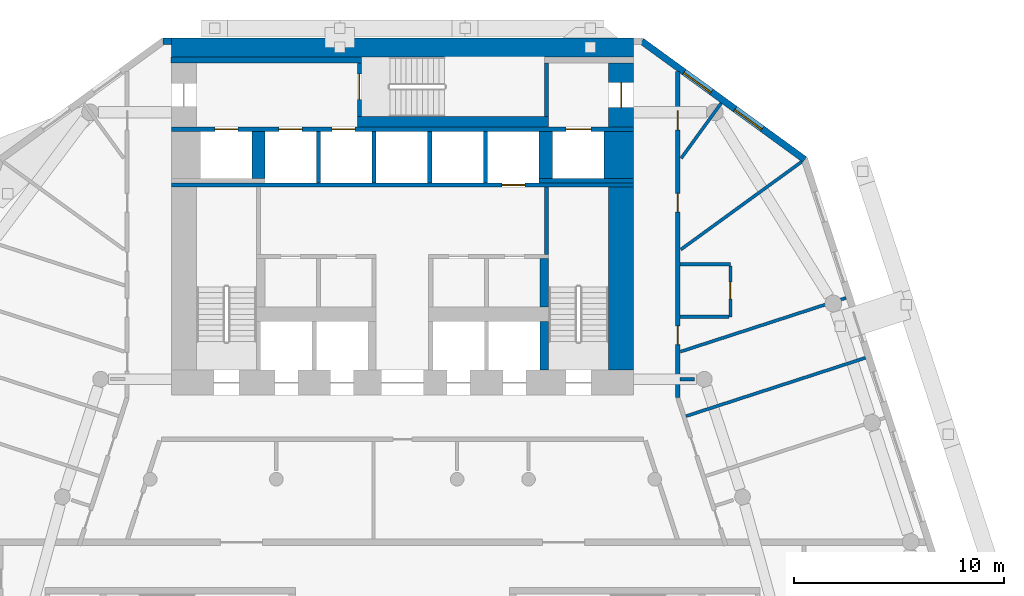
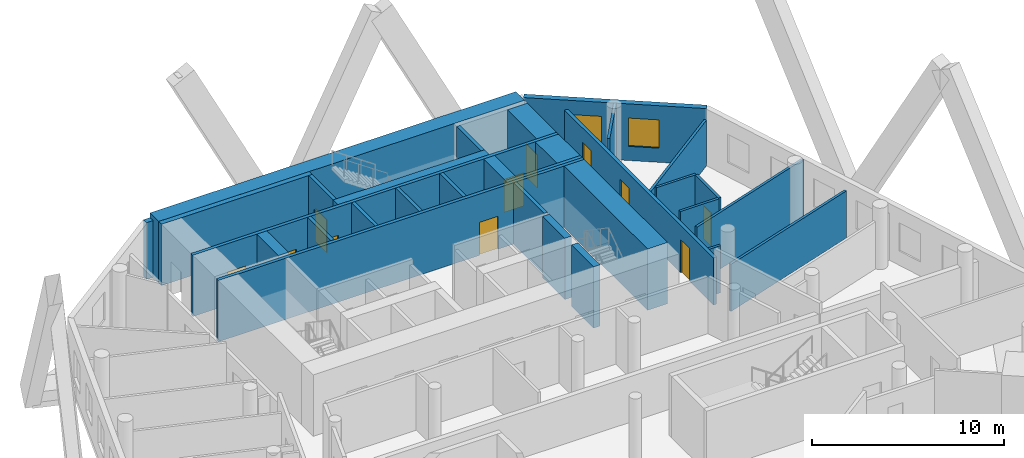
# One storey, part 7 of 10: 31 walls, 11 doors, 2 windows, 13 openings.
"""IFC4 building model written with IfcOpenShell, lengths in metres."""

from ifc_helpers import new_model, si_unit, direction, frame, frame_2d, origin, place, context, subcontext, project, spatial, rectangle, extrude, material, layer, layer_set, type_object, element, fill, save


model = new_model("IFC4")

# Units and contexts
model_context = context("Model", 3, precision=1e-05, world=origin(), true_north=direction((0.0, 1.0)))
body_context = subcontext(model_context, "Body", "Model", "MODEL_VIEW")
ifc_project = project(units=[si_unit("LENGTHUNIT", "METRE"), si_unit("AREAUNIT", "SQUARE_METRE"), si_unit("VOLUMEUNIT", "CUBIC_METRE"), si_unit("PLANEANGLEUNIT", "RADIAN"), si_unit("MASSUNIT", "GRAM", prefix="KILO")], contexts=[model_context])

# Site, building, storey
site_placement = place(None, origin())
site = spatial("IfcSite", under=ifc_project, at=site_placement, CompositionType="ELEMENT")
building_placement = place(site_placement, origin())
building = spatial("IfcBuilding", under=site, at=building_placement, Name="White Candle Pilgrim Tower", CompositionType="ELEMENT")
storey_placement = place(building_placement, frame((0.0, 0.0, 42.89990234375)))
storey = spatial("IfcBuildingStorey", under=building, at=storey_placement, Name="L07", CompositionType="ELEMENT", Elevation=42.89990234375)

# Wall, opening, door
ifc_material_1 = material(Name="Concrete C70/85", Category="concrete")
ifc_layer_1 = layer(ifc_material_1, 1.199951171875)
ifc_layer_set_1 = layer_set([ifc_layer_1], Name="Core wall 1200 mm Concrete C70/85")
wall_type_1 = type_object("IfcWallType", Name="Core wall 1200 mm Concrete C70/85", PredefinedType="SHEAR", material=ifc_layer_set_1)
wall_1_placement = place(storey_placement, frame((80.39990234375, 83.75, 0.0), z_axis=(0.0, 0.0, 1.0), x_axis=(0.0, 1.0, 0.0)))
wall_1 = element("IfcWall", 1, at=wall_1_placement, inside=storey, type_object=wall_type_1, Name="WL-L07-C46", PredefinedType="SHEAR", context=body_context, shape_type="SweptSolid", body=[
    extrude(rectangle(XDim=3.050048828125, YDim=1.199951171875, at=frame_2d((1.52490234375, 0.0))), origin(), (0.0, 0.0, 1.0), 3.900146484375),
])
opening_1_placement = place(wall_1_placement, frame((0.925048828125, 0.0, 0.0)))
opening_1 = element("IfcOpeningElement", 2, at=opening_1_placement, cuts=wall_1, Name="Opening T02-006", PredefinedType="OPENING", context=body_context, shape_type="SweptSolid", body=[
    extrude(rectangle(XDim=1.199951171875, YDim=2.10009765625, at=frame_2d((0.60009765625, 1.050048828125))), frame((0.0, 0.60986328125, 0.0), z_axis=(0.0, -1.0, 0.0), x_axis=(1.0, 0.0, 0.0)), (0.0, 0.0, 1.0), 1.219970703125),
])
ifc_material_2 = material(Name="Steel door leaf", Category="steel")
door_type_1 = type_object("IfcDoorType", Name="Fire door 1200 x 2100 EI 30", OperationType="NOTDEFINED", PredefinedType="DOOR", material=ifc_material_2)
door_1_placement = place(opening_1_placement, origin())
door_1 = element("IfcDoor", 3, at=door_1_placement, inside=storey, type_object=door_type_1, Name="Door T02-006", OperationType="SINGLE_SWING_RIGHT", OverallHeight=2.10009765625, OverallWidth=1.199951171875, PredefinedType="DOOR", context=body_context, shape_type="SweptSolid", body=[
    extrude(rectangle(XDim=1.199951171875, YDim=2.10009765625, at=frame_2d((0.60009765625, 1.050048828125))), frame((0.0, 0.02490234375, 0.0), z_axis=(0.0, -1.0, 0.0), x_axis=(1.0, 0.0, 0.0)), (0.0, 0.0, 1.0), 0.050048828125),
])
fill(opening_1, door_1)

# Walls
ifc_layer_2 = layer(ifc_material_1, 1.39990234375)
ifc_layer_set_2 = layer_set([ifc_layer_2], Name="Core wall 1400 mm Concrete C70/85")
wall_type_2 = type_object("IfcWallType", Name="Core wall 1400 mm Concrete C70/85", PredefinedType="SHEAR", material=ifc_layer_set_2)
wall_2_placement = place(storey_placement, frame((80.300048828125, 81.300048828125, 0.0), z_axis=(0.0, 0.0, 1.0), x_axis=(0.0, 1.0, 0.0)))
element("IfcWall", 4, at=wall_2_placement, inside=storey, type_object=wall_type_2, Name="WL-L07-C42", PredefinedType="SHEAR", context=body_context, shape_type="SweptSolid", body=[
    extrude(rectangle(XDim=2.25, YDim=1.39990234375, at=frame_2d((1.125, 0.0))), origin(), (0.0, 0.0, 1.0), 3.900146484375),
])
ifc_layer_3 = layer(ifc_material_1, 0.199951171875)
ifc_layer_set_3 = layer_set([ifc_layer_3], Name="Core wall 200 mm Concrete C70/85")
wall_type_3 = type_object("IfcWallType", Name="Core wall 200 mm Concrete C70/85", PredefinedType="SHEAR", material=ifc_layer_set_3)
wall_3_placement = place(storey_placement, frame((76.5, 81.199951171875, 0.0), z_axis=(0.0, 0.0, 1.0), x_axis=(1.0, 0.0, 0.0)))
element("IfcWall", 5, at=wall_3_placement, inside=storey, type_object=wall_type_3, Name="WL-L07-C38", PredefinedType="SHEAR", context=body_context, shape_type="SweptSolid", body=[
    extrude(rectangle(XDim=4.5, YDim=0.199951171875, at=frame_2d((2.25, 0.0))), origin(), (0.0, 0.0, 1.0), 3.900146484375),
])

# Wall, openings, doors
wall_4_placement = place(storey_placement, frame((59.0, 83.64990234375, 0.0), z_axis=(0.0, 0.0, 1.0), x_axis=(1.0, 0.0, 0.0)))
wall_4 = element("IfcWall", 6, at=wall_4_placement, inside=storey, type_object=wall_type_3, Name="WL-L07-C43", PredefinedType="SHEAR", context=body_context, shape_type="SweptSolid", body=[
    extrude(rectangle(XDim=22.0, YDim=0.199951171875, at=frame_2d((11.0, 0.0))), origin(), (0.0, 0.0, 1.0), 3.900146484375),
])
opening_2_placement = place(wall_4_placement, frame((5.125, 0.0, 0.0)))
opening_2 = element("IfcOpeningElement", 7, at=opening_2_placement, cuts=wall_4, Name="Opening T02-011", PredefinedType="OPENING", context=body_context, shape_type="SweptSolid", body=[
    extrude(rectangle(XDim=1.10009765625, YDim=2.10009765625, at=frame_2d((0.550048828125, 1.050048828125))), frame((0.0, 0.10986328125, 0.0), z_axis=(0.0, -1.0, 0.0), x_axis=(1.0, 0.0, 0.0)), (0.0, 0.0, 1.0), 0.219970703125),
])
opening_3_placement = place(wall_4_placement, frame((7.64990234375, 0.0, 0.0)))
opening_3 = element("IfcOpeningElement", 8, at=opening_3_placement, cuts=wall_4, Name="Opening T02-012", PredefinedType="OPENING", context=body_context, shape_type="SweptSolid", body=[
    extrude(rectangle(XDim=1.10009765625, YDim=2.10009765625, at=frame_2d((0.550048828125, 1.050048828125))), frame((0.0, 0.10986328125, 0.0), z_axis=(0.0, -1.0, 0.0), x_axis=(1.0, 0.0, 0.0)), (0.0, 0.0, 1.0), 0.219970703125),
])
opening_4_placement = place(wall_4_placement, frame((18.77490234375, 0.0, 0.0)))
opening_4 = element("IfcOpeningElement", 9, at=opening_4_placement, cuts=wall_4, Name="Opening T02-018", PredefinedType="OPENING", context=body_context, shape_type="SweptSolid", body=[
    extrude(rectangle(XDim=1.199951171875, YDim=2.10009765625, at=frame_2d((0.60009765625, 1.050048828125))), frame((0.0, 0.10986328125, 0.0), z_axis=(0.0, -1.0, 0.0), x_axis=(1.0, 0.0, 0.0)), (0.0, 0.0, 1.0), 0.219970703125),
])
opening_5_placement = place(wall_4_placement, frame((2.074951171875, 0.0, 0.0)))
opening_5 = element("IfcOpeningElement", 10, at=opening_5_placement, cuts=wall_4, Name="Opening T02-019", PredefinedType="OPENING", context=body_context, shape_type="SweptSolid", body=[
    extrude(rectangle(XDim=1.10009765625, YDim=2.10009765625, at=frame_2d((0.550048828125, 1.050048828125))), frame((0.0, 0.10986328125, 0.0), z_axis=(0.0, -1.0, 0.0), x_axis=(1.0, 0.0, 0.0)), (0.0, 0.0, 1.0), 0.219970703125),
])
ifc_material_3 = material(Name="Stainless steel", Category="steel")
door_type_2 = type_object("IfcDoorType", Name="Lift landing door 1100 x 2100 EI 60", OperationType="DOUBLE_DOOR_SLIDING", PredefinedType="DOOR", material=ifc_material_3)
door_2_placement = place(opening_2_placement, origin())
door_2 = element("IfcDoor", 11, at=door_2_placement, inside=storey, type_object=door_type_2, Name="Door T02-011", OperationType="DOUBLE_DOOR_SLIDING", OverallHeight=2.10009765625, OverallWidth=1.10009765625, PredefinedType="DOOR", context=body_context, shape_type="SweptSolid", body=[
    extrude(rectangle(XDim=1.10009765625, YDim=2.10009765625, at=frame_2d((0.550048828125, 1.050048828125))), frame((0.0, 0.02490234375, 0.0), z_axis=(0.0, -1.0, 0.0), x_axis=(1.0, 0.0, 0.0)), (0.0, 0.0, 1.0), 0.050048828125),
])
fill(opening_2, door_2)
door_3_placement = place(opening_3_placement, origin())
door_3 = element("IfcDoor", 12, at=door_3_placement, inside=storey, type_object=door_type_2, Name="Door T02-012", OperationType="DOUBLE_DOOR_SLIDING", OverallHeight=2.10009765625, OverallWidth=1.10009765625, PredefinedType="DOOR", context=body_context, shape_type="SweptSolid", body=[
    extrude(rectangle(XDim=1.10009765625, YDim=2.10009765625, at=frame_2d((0.550048828125, 1.050048828125))), frame((0.0, 0.02490234375, 0.0), z_axis=(0.0, -1.0, 0.0), x_axis=(1.0, 0.0, 0.0)), (0.0, 0.0, 1.0), 0.050048828125),
])
fill(opening_3, door_3)
door_4_placement = place(opening_5_placement, origin())
door_4 = element("IfcDoor", 13, at=door_4_placement, inside=storey, type_object=door_type_2, Name="Door T02-019", OperationType="DOUBLE_DOOR_SLIDING", OverallHeight=2.10009765625, OverallWidth=1.10009765625, PredefinedType="DOOR", context=body_context, shape_type="SweptSolid", body=[
    extrude(rectangle(XDim=1.10009765625, YDim=2.10009765625, at=frame_2d((0.550048828125, 1.050048828125))), frame((0.0, 0.02490234375, 0.0), z_axis=(0.0, -1.0, 0.0), x_axis=(1.0, 0.0, 0.0)), (0.0, 0.0, 1.0), 0.050048828125),
])
fill(opening_5, door_4)
door_type_3 = type_object("IfcDoorType", Name="Lift landing door 1200 x 2100 E 60", OperationType="DOUBLE_DOOR_SLIDING", PredefinedType="DOOR", material=ifc_material_3)
door_5_placement = place(opening_4_placement, origin())
door_5 = element("IfcDoor", 14, at=door_5_placement, inside=storey, type_object=door_type_3, Name="Door T02-018", OperationType="DOUBLE_DOOR_SLIDING", OverallHeight=2.10009765625, OverallWidth=1.199951171875, PredefinedType="DOOR", context=body_context, shape_type="SweptSolid", body=[
    extrude(rectangle(XDim=1.199951171875, YDim=2.10009765625, at=frame_2d((0.60009765625, 1.050048828125))), frame((0.0, 0.02490234375, 0.0), z_axis=(0.0, -1.0, 0.0), x_axis=(1.0, 0.0, 0.0)), (0.0, 0.0, 1.0), 0.050048828125),
])
fill(opening_4, door_5)

ifc_material_4 = material(Name="Gypsum board on steel studs", Category="steel")
ifc_layer_4 = layer(ifc_material_4, 0.199951171875)
ifc_layer_set_4 = layer_set([ifc_layer_4], Name="Corridor wall 200 mm EI 45")
wall_type_4 = type_object("IfcWallType", Name="Corridor wall 200 mm EI 45", PredefinedType="PARTITIONING", material=ifc_layer_set_4)
wall_5_placement = place(storey_placement, frame((83.10009765625, 86.396240234375, 0.0), z_axis=(0.0, 0.0, 1.0), x_axis=(0.0, -1.0, 0.0)))
wall_5 = element("IfcWall", 15, at=wall_5_placement, inside=storey, type_object=wall_type_4, Name="WL-L07-P004", PredefinedType="PARTITIONING", context=body_context, shape_type="SweptSolid", body=[
    extrude(rectangle(XDim=15.498779296875, YDim=0.199951171875, at=frame_2d((7.74951171875, 0.0))), origin(), (0.0, 0.0, 1.0), 3.0),
])
opening_6_placement = place(wall_5_placement, frame((1.874755859375, 0.0, 0.0)))
opening_6 = element("IfcOpeningElement", 16, at=opening_6_placement, cuts=wall_5, Name="Opening T02-127", PredefinedType="OPENING", context=body_context, shape_type="SweptSolid", body=[
    extrude(rectangle(XDim=0.89990234375, YDim=2.10009765625, at=frame_2d((0.449951171875, 1.050048828125))), frame((0.0, 0.10986328125, 0.0), z_axis=(0.0, -1.0, 0.0), x_axis=(1.0, 0.0, 0.0)), (0.0, 0.0, 1.0), 0.219970703125),
])
opening_7_placement = place(wall_5_placement, frame((5.79248046875, 0.0, 0.0)))
opening_7 = element("IfcOpeningElement", 17, at=opening_7_placement, cuts=wall_5, Name="Opening T02-128", PredefinedType="OPENING", context=body_context, shape_type="SweptSolid", body=[
    extrude(rectangle(XDim=0.89990234375, YDim=2.10009765625, at=frame_2d((0.449951171875, 1.050048828125))), frame((0.0, 0.10986328125, 0.0), z_axis=(0.0, -1.0, 0.0), x_axis=(1.0, 0.0, 0.0)), (0.0, 0.0, 1.0), 0.219970703125),
])
opening_8_placement = place(wall_5_placement, frame((12.094482421875, 0.0, 0.0)))
opening_8 = element("IfcOpeningElement", 18, at=opening_8_placement, cuts=wall_5, Name="Opening T02-129", PredefinedType="OPENING", context=body_context, shape_type="SweptSolid", body=[
    extrude(rectangle(XDim=0.89990234375, YDim=2.10009765625, at=frame_2d((0.449951171875, 1.050048828125))), frame((0.0, 0.10986328125, 0.0), z_axis=(0.0, -1.0, 0.0), x_axis=(1.0, 0.0, 0.0)), (0.0, 0.0, 1.0), 0.219970703125),
])
door_type_4 = type_object("IfcDoorType", Name="Fire door 900 x 2100 EI 30", OperationType="NOTDEFINED", PredefinedType="DOOR", material=ifc_material_2)
door_6_placement = place(opening_6_placement, origin())
door_6 = element("IfcDoor", 19, at=door_6_placement, inside=storey, type_object=door_type_4, Name="Door T02-127", OperationType="SINGLE_SWING_LEFT", OverallHeight=2.10009765625, OverallWidth=0.89990234375, PredefinedType="DOOR", context=body_context, shape_type="SweptSolid", body=[
    extrude(rectangle(XDim=0.89990234375, YDim=2.10009765625, at=frame_2d((0.449951171875, 1.050048828125))), frame((0.0, 0.02490234375, 0.0), z_axis=(0.0, -1.0, 0.0), x_axis=(1.0, 0.0, 0.0)), (0.0, 0.0, 1.0), 0.050048828125),
])
fill(opening_6, door_6)
door_7_placement = place(opening_7_placement, origin())
door_7 = element("IfcDoor", 20, at=door_7_placement, inside=storey, type_object=door_type_4, Name="Door T02-128", OperationType="SINGLE_SWING_RIGHT", OverallHeight=2.10009765625, OverallWidth=0.89990234375, PredefinedType="DOOR", context=body_context, shape_type="SweptSolid", body=[
    extrude(rectangle(XDim=0.89990234375, YDim=2.10009765625, at=frame_2d((0.449951171875, 1.050048828125))), frame((0.0, 0.02490234375, 0.0), z_axis=(0.0, -1.0, 0.0), x_axis=(1.0, 0.0, 0.0)), (0.0, 0.0, 1.0), 0.050048828125),
])
fill(opening_7, door_7)
door_8_placement = place(opening_8_placement, origin())
door_8 = element("IfcDoor", 21, at=door_8_placement, inside=storey, type_object=door_type_4, Name="Door T02-129", OperationType="SINGLE_SWING_LEFT", OverallHeight=2.10009765625, OverallWidth=0.89990234375, PredefinedType="DOOR", context=body_context, shape_type="SweptSolid", body=[
    extrude(rectangle(XDim=0.89990234375, YDim=2.10009765625, at=frame_2d((0.449951171875, 1.050048828125))), frame((0.0, 0.02490234375, 0.0), z_axis=(0.0, -1.0, 0.0), x_axis=(1.0, 0.0, 0.0)), (0.0, 0.0, 1.0), 0.050048828125),
])
fill(opening_8, door_8)

# Wall, openings, windows
ifc_material_5 = material(Name="Precast concrete C40/50", Category="concrete")
ifc_layer_5 = layer(ifc_material_5, 0.320068359375)
ifc_layer_set_5 = layer_set([ifc_layer_5], Name="Facade wall EW1 precast concrete C40/50 pier wall with timber-lined reveals")
wall_type_5 = type_object("IfcWallType", Name="Facade wall EW1 precast concrete C40/50 pier wall with timber-lined reveals", PredefinedType="SOLIDWALL", material=ifc_layer_set_5)
wall_6_placement = place(storey_placement, frame((89.135009765625, 82.20947265625, 0.0), z_axis=(0.0, 0.0, 1.0), x_axis=(-0.809021430096, 0.587779146998, 0.0)))
wall_6 = element("IfcWall", 22, at=wall_6_placement, inside=storey, type_object=wall_type_5, Name="Facade wall L07 NE chamfer", PredefinedType="SOLIDWALL", context=body_context, shape_type="SweptSolid", body=[
    extrude(rectangle(XDim=9.57958984375, YDim=0.320068359375, at=frame_2d((4.789794921875, 0.0))), origin(), (0.0, 0.0, 1.0), 3.60009765625),
])
opening_9_placement = place(wall_6_placement, frame((2.48974609375, 0.0, 0.89990234375)))
opening_9 = element("IfcOpeningElement", 23, at=opening_9_placement, cuts=wall_6, Name="Opening W2", PredefinedType="OPENING", context=body_context, shape_type="SweptSolid", body=[
    extrude(rectangle(XDim=1.60009765625, YDim=1.800048828125, at=frame_2d((0.800048828125, 0.89990234375))), frame((0.0, 0.169921875, 0.0), z_axis=(0.0, -1.0, 0.0), x_axis=(1.0, 0.0, 0.0)), (0.0, 0.0, 1.0), 0.340087890625),
])
opening_10_placement = place(wall_6_placement, frame((5.48974609375, 0.0, 0.89990234375)))
opening_10 = element("IfcOpeningElement", 24, at=opening_10_placement, cuts=wall_6, Name="Opening W2", PredefinedType="OPENING", context=body_context, shape_type="SweptSolid", body=[
    extrude(rectangle(XDim=1.60009765625, YDim=1.800048828125, at=frame_2d((0.800048828125, 0.89990234375))), frame((0.0, 0.169921875, 0.0), z_axis=(0.0, -1.0, 0.0), x_axis=(1.0, 0.0, 0.0)), (0.0, 0.0, 1.0), 0.340087890625),
])
ifc_material_6 = material(Name="Timber frame with triple glazing", Category="wood")
window_type = type_object("IfcWindowType", Name="Window W2 1600x1800 timber frame triple glazing", PartitioningType="SINGLE_PANEL", PredefinedType="WINDOW", material=ifc_material_6)
window_1_placement = place(opening_9_placement, origin())
window_1 = element("IfcWindow", 25, at=window_1_placement, inside=storey, type_object=window_type, Name="Window W2 L07 NE chamfer 1", OverallHeight=1.800048828125, OverallWidth=1.60009765625, PartitioningType="SINGLE_PANEL", PredefinedType="WINDOW", context=body_context, shape_type="SweptSolid", body=[
    extrude(rectangle(XDim=1.60009765625, YDim=1.800048828125, at=frame_2d((0.800048828125, 0.89990234375))), frame((0.0, 0.070068359375, 0.0), z_axis=(0.0, -1.0, 0.0), x_axis=(1.0, 0.0, 0.0)), (0.0, 0.0, 1.0), 0.06005859375),
])
fill(opening_9, window_1)
window_2_placement = place(opening_10_placement, origin())
window_2 = element("IfcWindow", 26, at=window_2_placement, inside=storey, type_object=window_type, Name="Window W2 L07 NE chamfer 2", OverallHeight=1.800048828125, OverallWidth=1.60009765625, PartitioningType="SINGLE_PANEL", PredefinedType="WINDOW", context=body_context, shape_type="SweptSolid", body=[
    extrude(rectangle(XDim=1.60009765625, YDim=1.800048828125, at=frame_2d((0.800048828125, 0.89990234375))), frame((0.0, 0.070068359375, 0.0), z_axis=(0.0, -1.0, 0.0), x_axis=(1.0, 0.0, 0.0)), (0.0, 0.0, 1.0), 0.06005859375),
])
fill(opening_10, window_2)

# Walls
wall_7_placement = place(storey_placement, frame((59.0, 87.840087890625, 0.0), z_axis=(0.0, 0.0, 1.0), x_axis=(-1.0, 0.0, 0.0)))
element("IfcWall", 27, at=wall_7_placement, inside=storey, type_object=wall_type_5, Name="Facade wall L07 N", PredefinedType="SOLIDWALL", context=body_context, shape_type="SweptSolid", body=[
    extrude(rectangle(XDim=0.385009765625, YDim=0.320068359375, at=frame_2d((0.1923828125, 0.0))), origin(), (0.0, 0.0, 1.0), 3.60009765625),
])
ifc_layer_6 = layer(ifc_material_4, 0.14990234375)
ifc_layer_set_6 = layer_set([ifc_layer_6], Name="Partition 150 mm EI 60")
wall_type_6 = type_object("IfcWallType", Name="Partition 150 mm EI 60", PredefinedType="PARTITIONING", material=ifc_layer_set_6)
wall_8_placement = place(storey_placement, frame((88.998779296875, 82.110595703125, 0.0), z_axis=(0.0, 0.0, 1.0), x_axis=(-0.809006123185, -0.587800214911, 0.0)))
element("IfcWall", 28, at=wall_8_placement, inside=storey, type_object=wall_type_6, Name="WL-L07-P023", PredefinedType="PARTITIONING", context=body_context, shape_type="SweptSolid", body=[
    extrude(rectangle(XDim=7.11328125, YDim=0.14990234375, at=frame_2d((3.556640625, 0.0))), origin(), (0.0, 0.0, 1.0), 2.900146484375),
])
wall_9_placement = place(storey_placement, frame((92.03125, 72.777587890625, 0.0), z_axis=(0.0, 0.0, 1.0), x_axis=(-0.951051249243, -0.309033204224, 0.0)))
element("IfcWall", 29, at=wall_9_placement, inside=storey, type_object=wall_type_6, Name="WL-L07-P042", PredefinedType="PARTITIONING", context=body_context, shape_type="SweptSolid", body=[
    extrude(rectangle(XDim=8.97998046875, YDim=0.14990234375, at=frame_2d((4.489990234375, 0.0))), origin(), (0.0, 0.0, 1.0), 3.0),
])
wall_10_placement = place(storey_placement, frame((91.104248046875, 75.630615234375, 0.0), z_axis=(0.0, 0.0, 1.0), x_axis=(-0.95105420195, -0.309024117105, 0.0)))
element("IfcWall", 30, at=wall_10_placement, inside=storey, type_object=wall_type_6, Name="WL-L07-P043", PredefinedType="PARTITIONING", context=body_context, shape_type="SweptSolid", body=[
    extrude(rectangle(XDim=8.28662109375, YDim=0.14990234375, at=frame_2d((4.143310546875, 0.0))), origin(), (0.0, 0.0, 1.0), 3.60009765625),
])
wall_11_placement = place(storey_placement, frame((83.199951171875, 77.22998046875, 0.0), z_axis=(0.0, 0.0, 1.0), x_axis=(1.0, 0.0, 0.0)))
element("IfcWall", 31, at=wall_11_placement, inside=storey, type_object=wall_type_6, Name="WL-L07-P044", PredefinedType="PARTITIONING", context=body_context, shape_type="SweptSolid", body=[
    extrude(rectangle(XDim=2.400146484375, YDim=0.14990234375, at=frame_2d((1.2001953125, 0.0))), origin(), (0.0, 0.0, 1.0), 3.60009765625),
])

# Wall, opening, door
wall_12_placement = place(storey_placement, frame((85.60009765625, 74.72998046875, 0.0), z_axis=(0.0, 0.0, 1.0), x_axis=(0.0, 1.0, 0.0)))
wall_12 = element("IfcWall", 32, at=wall_12_placement, inside=storey, type_object=wall_type_6, Name="WL-L07-P045", PredefinedType="PARTITIONING", context=body_context, shape_type="SweptSolid", body=[
    extrude(rectangle(XDim=2.4248046875, YDim=0.14990234375, at=frame_2d((1.21240234375, 0.0))), origin(), (0.0, 0.0, 1.0), 3.60009765625),
])
opening_11_placement = place(wall_12_placement, frame((0.85009765625, 0.0, 0.0)))
opening_11 = element("IfcOpeningElement", 33, at=opening_11_placement, cuts=wall_12, Name="Opening T02-116", PredefinedType="OPENING", context=body_context, shape_type="SweptSolid", body=[
    extrude(rectangle(XDim=0.800048828125, YDim=2.10009765625, at=frame_2d((0.39990234375, 1.050048828125))), frame((0.0, 0.0849609375, 0.0), z_axis=(0.0, -1.0, 0.0), x_axis=(1.0, 0.0, 0.0)), (0.0, 0.0, 1.0), 0.169921875),
])
door_type_5 = type_object("IfcDoorType", Name="Fire door 800 x 2100 EI 30", OperationType="NOTDEFINED", PredefinedType="DOOR", material=ifc_material_2)
door_9_placement = place(opening_11_placement, frame((0.800048828125, 0.0, 0.0), z_axis=(0.0, 0.0, 1.0), x_axis=(-1.0, 0.0, 0.0)))
door_9 = element("IfcDoor", 34, at=door_9_placement, inside=storey, type_object=door_type_5, Name="Door T02-116", OperationType="SINGLE_SWING_LEFT", OverallHeight=2.10009765625, OverallWidth=0.800048828125, PredefinedType="DOOR", context=body_context, shape_type="SweptSolid", body=[
    extrude(rectangle(XDim=0.800048828125, YDim=2.10009765625, at=frame_2d((0.39990234375, 1.050048828125))), frame((0.0, 0.02490234375, 0.0), z_axis=(0.0, -1.0, 0.0), x_axis=(1.0, 0.0, 0.0)), (0.0, 0.0, 1.0), 0.050048828125),
])
fill(opening_11, door_9)

# Walls
wall_13_placement = place(storey_placement, frame((83.199951171875, 74.72998046875, 0.0), z_axis=(0.0, 0.0, 1.0), x_axis=(1.0, 0.0, 0.0)))
element("IfcWall", 35, at=wall_13_placement, inside=storey, type_object=wall_type_6, Name="WL-L07-P046", PredefinedType="PARTITIONING", context=body_context, shape_type="SweptSolid", body=[
    extrude(rectangle(XDim=2.324951171875, YDim=0.14990234375, at=frame_2d((1.16259765625, 0.0))), origin(), (0.0, 0.0, 1.0), 3.60009765625),
])
wall_14_placement = place(storey_placement, frame((85.166015625, 84.895263671875, 0.0), z_axis=(0.0, 0.0, 1.0), x_axis=(-0.587795442354, -0.809009590764, 0.0)))
element("IfcWall", 36, at=wall_14_placement, inside=storey, type_object=wall_type_6, Name="WL-L07-P047", PredefinedType="PARTITIONING", context=body_context, shape_type="SweptSolid", body=[
    extrude(rectangle(XDim=3.241455078125, YDim=0.14990234375, at=frame_2d((1.62060546875, 0.0))), origin(), (0.0, 0.0, 1.0), 3.60009765625),
])
wall_15_placement = place(storey_placement, frame((83.89501953125, 71.7578125, 0.0), z_axis=(0.0, 0.0, 1.0), x_axis=(-1.0, 0.0, 0.0)))
element("IfcWall", 37, at=wall_15_placement, inside=storey, type_object=wall_type_6, Name="WL-L07-P055", PredefinedType="PARTITIONING", context=body_context, shape_type="SweptSolid", body=[
    extrude(rectangle(XDim=0.695068359375, YDim=0.14990234375, at=frame_2d((0.34765625, 0.0))), origin(), (0.0, 0.0, 1.0), 3.0),
])
ifc_layer_7 = layer(ifc_material_1, 0.199951171875)
ifc_layer_set_7 = layer_set([ifc_layer_7], Name="Shaft wall 200 mm Concrete C70/85")
wall_type_7 = type_object("IfcWallType", Name="Shaft wall 200 mm Concrete C70/85", PredefinedType="SHEAR", material=ifc_layer_set_7)
for number, where, z_axis, x_axis, name in (
    (38, (66.0, 81.10009765625, 0.0), (0.0, 0.0, 1.0), (0.0, 1.0, 0.0), "WL-L07-C34"),
    (39, (68.64990234375, 81.10009765625, 0.0), (0.0, 0.0, 1.0), (0.0, 1.0, 0.0), "WL-L07-C35"),
    (40, (71.300048828125, 81.10009765625, 0.0), (0.0, 0.0, 1.0), (0.0, 1.0, 0.0), "WL-L07-C36"),
    (41, (73.949951171875, 81.10009765625, 0.0), (0.0, 0.0, 1.0), (0.0, 1.0, 0.0), "WL-L07-C37"),
):
    element("IfcWall", number, at=place(storey_placement, frame(where, z_axis=z_axis, x_axis=x_axis)), inside=storey, type_object=wall_type_7, Name=name, PredefinedType="SHEAR", context=body_context, shape_type="SweptSolid", body=[
        extrude(rectangle(XDim=2.449951171875, YDim=0.199951171875, at=frame_2d((1.22509765625, 0.0))), origin(), (0.0, 0.0, 1.0), 3.900146484375),
    ])
ifc_layer_8 = layer(ifc_material_1, 0.60009765625)
ifc_layer_set_8 = layer_set([ifc_layer_8], Name="Shaft wall 600 mm Concrete C70/85")
wall_type_8 = type_object("IfcWallType", Name="Shaft wall 600 mm Concrete C70/85", PredefinedType="SHEAR", material=ifc_layer_set_8)
wall_16_placement = place(storey_placement, frame((63.14990234375, 81.300048828125, 0.0), z_axis=(0.0, 0.0, 1.0), x_axis=(0.0, 1.0, 0.0)))
element("IfcWall", 42, at=wall_16_placement, inside=storey, type_object=wall_type_8, Name="WL-L07-C40", PredefinedType="SHEAR", context=body_context, shape_type="SweptSolid", body=[
    extrude(rectangle(XDim=2.25, YDim=0.60009765625, at=frame_2d((1.125, 0.0))), origin(), (0.0, 0.0, 1.0), 3.900146484375),
])
ifc_layer_9 = layer(ifc_material_1, 0.64990234375)
ifc_layer_set_9 = layer_set([ifc_layer_9], Name="Shaft wall 650 mm Concrete C70/85")
wall_type_9 = type_object("IfcWallType", Name="Shaft wall 650 mm Concrete C70/85", PredefinedType="SHEAR", material=ifc_layer_set_9)
wall_17_placement = place(storey_placement, frame((76.824951171875, 81.300048828125, 0.0), z_axis=(0.0, 0.0, 1.0), x_axis=(0.0, 1.0, 0.0)))
element("IfcWall", 43, at=wall_17_placement, inside=storey, type_object=wall_type_9, Name="WL-L07-C41", PredefinedType="SHEAR", context=body_context, shape_type="SweptSolid", body=[
    extrude(rectangle(XDim=2.25, YDim=0.64990234375, at=frame_2d((1.125, 0.0))), origin(), (0.0, 0.0, 1.0), 3.900146484375),
])
ifc_layer_10 = layer(ifc_material_1, 1.199951171875)
ifc_layer_set_10 = layer_set([ifc_layer_10], Name="Stair shaft wall 1200 mm Concrete C70/85")
wall_type_10 = type_object("IfcWallType", Name="Stair shaft wall 1200 mm Concrete C70/85", PredefinedType="SHEAR", material=ifc_layer_set_10)
wall_18_placement = place(storey_placement, frame((80.39990234375, 72.199951171875, 0.0), z_axis=(0.0, 0.0, 1.0), x_axis=(0.0, 1.0, 0.0)))
element("IfcWall", 44, at=wall_18_placement, inside=storey, type_object=wall_type_10, Name="WL-L07-C19", PredefinedType="SHEAR", context=body_context, shape_type="SweptSolid", body=[
    extrude(rectangle(XDim=8.699951171875, YDim=1.199951171875, at=frame_2d((4.35009765625, 0.0))), origin(), (0.0, 0.0, 1.0), 3.900146484375),
])
ifc_layer_11 = layer(ifc_material_1, 0.199951171875)
ifc_layer_set_11 = layer_set([ifc_layer_11], Name="Stair shaft wall 200 mm Concrete C70/85")
wall_type_11 = type_object("IfcWallType", Name="Stair shaft wall 200 mm Concrete C70/85", PredefinedType="SHEAR", material=ifc_layer_set_11)
wall_19_placement = place(storey_placement, frame((76.85009765625, 77.699951171875, 0.0), z_axis=(0.0, 0.0, 1.0), x_axis=(0.0, 1.0, 0.0)))
element("IfcWall", 45, at=wall_19_placement, inside=storey, type_object=wall_type_11, Name="WL-L07-C31", PredefinedType="SHEAR", context=body_context, shape_type="SweptSolid", body=[
    extrude(rectangle(XDim=3.199951171875, YDim=0.199951171875, at=frame_2d((1.60009765625, 0.0))), origin(), (0.0, 0.0, 1.0), 3.900146484375),
])

# Wall, opening, door
wall_20_placement = place(storey_placement, frame((59.0, 81.0, 0.0), z_axis=(0.0, 0.0, 1.0), x_axis=(1.0, 0.0, 0.0)))
wall_20 = element("IfcWall", 46, at=wall_20_placement, inside=storey, type_object=wall_type_11, Name="WL-L07-C32", PredefinedType="SHEAR", context=body_context, shape_type="SweptSolid", body=[
    extrude(rectangle(XDim=22.0, YDim=0.199951171875, at=frame_2d((11.0, 0.0))), origin(), (0.0, 0.0, 1.0), 3.900146484375),
])
opening_12_placement = place(wall_20_placement, frame((15.72509765625, 0.0, 0.0)))
opening_12 = element("IfcOpeningElement", 47, at=opening_12_placement, cuts=wall_20, Name="Opening T02-013", PredefinedType="OPENING", context=body_context, shape_type="SweptSolid", body=[
    extrude(rectangle(XDim=1.10009765625, YDim=2.10009765625, at=frame_2d((0.550048828125, 1.050048828125))), frame((0.0, 0.10986328125, 0.0), z_axis=(0.0, -1.0, 0.0), x_axis=(1.0, 0.0, 0.0)), (0.0, 0.0, 1.0), 0.219970703125),
])
door_type_6 = type_object("IfcDoorType", Name="Lift landing door 1100 x 2100 E 60", OperationType="DOUBLE_DOOR_SLIDING", PredefinedType="DOOR", material=ifc_material_3)
door_10_placement = place(opening_12_placement, origin())
door_10 = element("IfcDoor", 48, at=door_10_placement, inside=storey, type_object=door_type_6, Name="Door T02-013", OperationType="DOUBLE_DOOR_SLIDING", OverallHeight=2.10009765625, OverallWidth=1.10009765625, PredefinedType="DOOR", context=body_context, shape_type="SweptSolid", body=[
    extrude(rectangle(XDim=1.10009765625, YDim=2.10009765625, at=frame_2d((0.550048828125, 1.050048828125))), frame((0.0, 0.02490234375, 0.0), z_axis=(0.0, -1.0, 0.0), x_axis=(1.0, 0.0, 0.0)), (0.0, 0.0, 1.0), 0.050048828125),
])
fill(opening_12, door_10)

wall_21_placement = place(storey_placement, frame((67.949951171875, 84.25, 0.0), z_axis=(0.0, 0.0, 1.0), x_axis=(0.0, 1.0, 0.0)))
wall_21 = element("IfcWall", 49, at=wall_21_placement, inside=storey, type_object=wall_type_11, Name="WL-L07-C47", PredefinedType="SHEAR", context=body_context, shape_type="SweptSolid", body=[
    extrude(rectangle(XDim=2.550048828125, YDim=0.199951171875, at=frame_2d((1.27490234375, 0.0))), origin(), (0.0, 0.0, 1.0), 3.900146484375),
])
opening_13_placement = place(wall_21_placement, frame((0.824951171875, 0.0, 0.0)))
opening_13 = element("IfcOpeningElement", 50, at=opening_13_placement, cuts=wall_21, Name="Opening T02-003", PredefinedType="OPENING", context=body_context, shape_type="SweptSolid", body=[
    extrude(rectangle(XDim=1.199951171875, YDim=2.10009765625, at=frame_2d((0.60009765625, 1.050048828125))), frame((0.0, 0.10986328125, 0.0), z_axis=(0.0, -1.0, 0.0), x_axis=(1.0, 0.0, 0.0)), (0.0, 0.0, 1.0), 0.219970703125),
])
door_type_7 = type_object("IfcDoorType", Name="Fire door 1200 x 2100 EI 60", OperationType="NOTDEFINED", PredefinedType="DOOR", material=ifc_material_2)
door_11_placement = place(opening_13_placement, frame((1.199951171875, 0.0, 0.0), z_axis=(0.0, 0.0, 1.0), x_axis=(-1.0, 0.0, 0.0)))
door_11 = element("IfcDoor", 51, at=door_11_placement, inside=storey, type_object=door_type_7, Name="Door T02-003", OperationType="SINGLE_SWING_RIGHT", OverallHeight=2.10009765625, OverallWidth=1.199951171875, PredefinedType="DOOR", context=body_context, shape_type="SweptSolid", body=[
    extrude(rectangle(XDim=1.199951171875, YDim=2.10009765625, at=frame_2d((0.60009765625, 1.050048828125))), frame((0.0, 0.02490234375, 0.0), z_axis=(0.0, -1.0, 0.0), x_axis=(1.0, 0.0, 0.0)), (0.0, 0.0, 1.0), 0.050048828125),
])
fill(opening_13, door_11)

# Walls
wall_22_placement = place(storey_placement, frame((76.85009765625, 84.25, 0.0), z_axis=(0.0, 0.0, 1.0), x_axis=(0.0, 1.0, 0.0)))
element("IfcWall", 52, at=wall_22_placement, inside=storey, type_object=wall_type_11, Name="WL-L07-C48", PredefinedType="SHEAR", context=body_context, shape_type="SweptSolid", body=[
    extrude(rectangle(XDim=2.550048828125, YDim=0.199951171875, at=frame_2d((1.27490234375, 0.0))), origin(), (0.0, 0.0, 1.0), 3.900146484375),
])
ifc_layer_12 = layer(ifc_material_1, 0.300048828125)
ifc_layer_set_12 = layer_set([ifc_layer_12], Name="Stair shaft wall 300 mm Concrete C70/85")
wall_type_12 = type_object("IfcWallType", Name="Stair shaft wall 300 mm Concrete C70/85", PredefinedType="SHEAR", material=ifc_layer_set_12)
wall_23_placement = place(storey_placement, frame((59.0, 86.949951171875, 0.0), z_axis=(0.0, 0.0, 1.0), x_axis=(1.0, 0.0, 0.0)))
element("IfcWall", 53, at=wall_23_placement, inside=storey, type_object=wall_type_12, Name="WL-L07-C49", PredefinedType="SHEAR", context=body_context, shape_type="SweptSolid", body=[
    extrude(rectangle(XDim=9.050048828125, YDim=0.300048828125, at=frame_2d((4.52490234375, 0.0))), origin(), (0.0, 0.0, 1.0), 3.900146484375),
])
ifc_layer_13 = layer(ifc_material_1, 0.39990234375)
ifc_layer_set_13 = layer_set([ifc_layer_13], Name="Stair shaft wall 400 mm Concrete C70/85")
wall_type_13 = type_object("IfcWallType", Name="Stair shaft wall 400 mm Concrete C70/85", PredefinedType="SHEAR", material=ifc_layer_set_13)
for number, where, z_axis, x_axis, name in (
    (54, (76.75, 72.199951171875, 0.0), (0.0, 0.0, 1.0), (0.0, 1.0, 0.0), "WL-L07-C18"),
    (55, (76.75, 75.199951171875, 0.0), (0.0, 0.0, 1.0), (0.0, 1.0, 0.0), "WL-L07-C27"),
):
    element("IfcWall", number, at=place(storey_placement, frame(where, z_axis=z_axis, x_axis=x_axis)), inside=storey, type_object=wall_type_13, Name=name, PredefinedType="SHEAR", context=body_context, shape_type="SweptSolid", body=[
        extrude(rectangle(XDim=2.300048828125, YDim=0.39990234375, at=frame_2d((1.14990234375, 0.0))), origin(), (0.0, 0.0, 1.0), 3.900146484375),
    ])
ifc_layer_14 = layer(ifc_material_1, 0.5)
ifc_layer_set_14 = layer_set([ifc_layer_14], Name="Stair shaft wall 500 mm Concrete C70/85")
wall_type_14 = type_object("IfcWallType", Name="Stair shaft wall 500 mm Concrete C70/85", PredefinedType="SHEAR", material=ifc_layer_set_14)
wall_24_placement = place(storey_placement, frame((67.85009765625, 84.0, 0.0), z_axis=(0.0, 0.0, 1.0), x_axis=(1.0, 0.0, 0.0)))
element("IfcWall", 56, at=wall_24_placement, inside=storey, type_object=wall_type_14, Name="WL-L07-C45", PredefinedType="SHEAR", context=body_context, shape_type="SweptSolid", body=[
    extrude(rectangle(XDim=9.099853515625, YDim=0.5, at=frame_2d((4.5498046875, 0.0))), origin(), (0.0, 0.0, 1.0), 3.900146484375),
])
ifc_layer_15 = layer(ifc_material_1, 0.89990234375)
ifc_layer_set_15 = layer_set([ifc_layer_15], Name="Stair shaft wall 900 mm Concrete C70/85")
wall_type_15 = type_object("IfcWallType", Name="Stair shaft wall 900 mm Concrete C70/85", PredefinedType="SHEAR", material=ifc_layer_set_15)
wall_25_placement = place(storey_placement, frame((59.0, 87.550048828125, 0.0), z_axis=(0.0, 0.0, 1.0), x_axis=(1.0, 0.0, 0.0)))
element("IfcWall", 57, at=wall_25_placement, inside=storey, type_object=wall_type_15, Name="WL-L07-C51", PredefinedType="SHEAR", context=body_context, shape_type="SweptSolid", body=[
    extrude(rectangle(XDim=22.0, YDim=0.89990234375, at=frame_2d((11.0, 0.0))), origin(), (0.0, 0.0, 1.0), 3.900146484375),
])

save(model, "model.ifc")
